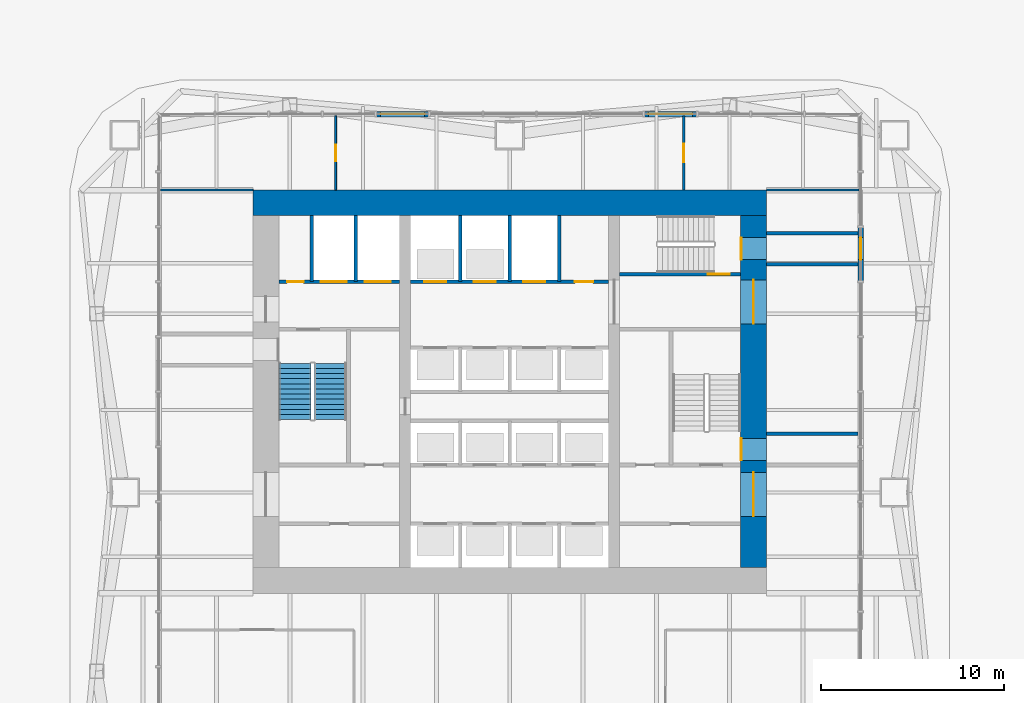
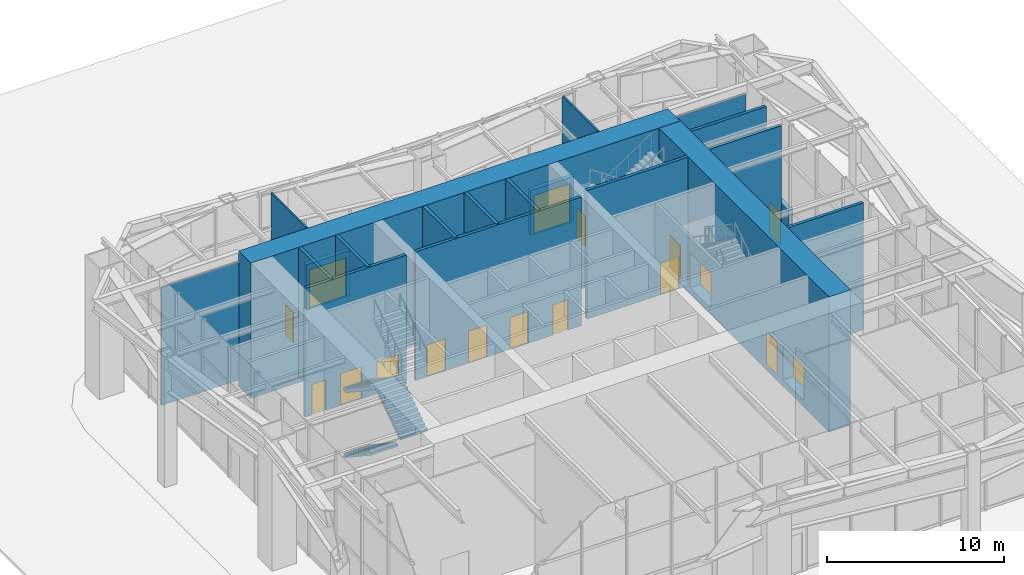
# One storey, part 9 of 13: 20 walls, 17 doors, 3 stair flights, 17 openings, 1 element without a shape of its own.
"""IFC4 building model written with IfcOpenShell, lengths in metres."""

from ifc_helpers import new_model, si_unit, direction, frame, frame_2d, origin, place, context, subcontext, project, spatial, polyline, rectangle, outline, extrude, material, layer, layer_set, type_object, element, fill, aggregate, save


model = new_model("IFC4")

# Units and contexts
model_context = context("Model", 3, precision=1e-05, world=origin(), true_north=direction((0.0, 1.0)))
body_context = subcontext(model_context, "Body", "Model", "MODEL_VIEW")
ifc_project = project(units=[si_unit("LENGTHUNIT", "METRE"), si_unit("AREAUNIT", "SQUARE_METRE"), si_unit("VOLUMEUNIT", "CUBIC_METRE"), si_unit("PLANEANGLEUNIT", "RADIAN"), si_unit("MASSUNIT", "GRAM", prefix="KILO")], contexts=[model_context])

# Site, building, storey
site_placement = place(None, origin())
site = spatial("IfcSite", under=ifc_project, at=site_placement, CompositionType="ELEMENT")
building_placement = place(site_placement, origin())
building = spatial("IfcBuilding", under=site, at=building_placement, Name="Verdant Reach Tower", CompositionType="ELEMENT")
storey_placement = place(building_placement, origin())
storey = spatial("IfcBuildingStorey", under=building, at=storey_placement, Name="G", CompositionType="ELEMENT", Elevation=0.0)

# Walls
ifc_material_1 = material(Name="Concrete C40/50", Category="concrete")
ifc_layer_1 = layer(ifc_material_1, 0.199951171875)
ifc_layer_set_1 = layer_set([ifc_layer_1], Name="CO-WALL-PASSAGE")
wall_type_1 = type_object("IfcWallType", Name="CO-WALL-PASSAGE", PredefinedType="PARTITIONING", material=ifc_layer_set_1)
wall_1_placement = place(storey_placement, frame((14.0, 25.699951171875, 0.0), z_axis=(0.0, 0.0, 1.0), x_axis=(1.0, 0.0, 0.0)))
element("IfcWall", 1, at=wall_1_placement, inside=storey, type_object=wall_type_1, Name="Exit passage wall, G", PredefinedType="PARTITIONING", context=body_context, shape_type="SweptSolid", body=[
    extrude(rectangle(XDim=5.0, YDim=0.199951171875, at=frame_2d((2.5, 0.0))), origin(), (0.0, 0.0, 1.0), 8.75),
])
wall_2_placement = place(storey_placement, frame((14.0, 34.949951171875, 0.0), z_axis=(0.0, 0.0, 1.0), x_axis=(1.0, 0.0, 0.0)))
element("IfcWall", 2, at=wall_2_placement, inside=storey, type_object=wall_type_1, Name="Exit passage wall, G", PredefinedType="PARTITIONING", context=body_context, shape_type="SweptSolid", body=[
    extrude(rectangle(XDim=5.0, YDim=0.199951171875, at=frame_2d((2.5, 0.0))), origin(), (0.0, 0.0, 1.0), 8.469970703125),
])
wall_3_placement = place(storey_placement, frame((14.0, 36.64990234375, 0.0), z_axis=(0.0, 0.0, 1.0), x_axis=(1.0, 0.0, 0.0)))
element("IfcWall", 3, at=wall_3_placement, inside=storey, type_object=wall_type_1, Name="Exit passage wall, G", PredefinedType="PARTITIONING", context=body_context, shape_type="SweptSolid", body=[
    extrude(rectangle(XDim=5.0, YDim=0.199951171875, at=frame_2d((2.5, 0.0))), origin(), (0.0, 0.0, 1.0), 8.75),
])

# Wall, openings, doors
ifc_layer_2 = layer(ifc_material_1, 0.199951171875)
ifc_layer_set_2 = layer_set([ifc_layer_2], Name="CO-WALL-SHAFT")
wall_type_2 = type_object("IfcWallType", Name="CO-WALL-SHAFT", PredefinedType="PARTITIONING", material=ifc_layer_set_2)
wall_4_placement = place(storey_placement, frame((-12.60009765625, 34.0, 0.0), z_axis=(0.0, 0.0, 1.0), x_axis=(1.0, 0.0, 0.0)))
wall_4 = element("IfcWall", 4, at=wall_4_placement, inside=storey, type_object=wall_type_2, Name="Lift shaft wall, G", PredefinedType="PARTITIONING", context=body_context, shape_type="SweptSolid", body=[
    extrude(rectangle(XDim=6.60009765625, YDim=0.199951171875, at=frame_2d((3.300048828125, 0.0))), origin(), (0.0, 0.0, 1.0), 8.8701171875),
])
opening_1_placement = place(wall_4_placement, frame((4.699951171875, 0.0, 0.0)))
opening_1 = element("IfcOpeningElement", 5, at=opening_1_placement, cuts=wall_4, Name="Opening LD-F1", PredefinedType="OPENING", context=body_context, shape_type="SweptSolid", body=[
    extrude(rectangle(XDim=1.39990234375, YDim=2.199951171875, at=frame_2d((0.699951171875, 1.10009765625))), frame((0.0, 0.10986328125, 0.0), z_axis=(0.0, -1.0, 0.0), x_axis=(1.0, 0.0, 0.0)), (0.0, 0.0, 1.0), 0.219970703125),
])
opening_2_placement = place(wall_4_placement, frame((2.300048828125, 0.0, 0.0)))
opening_2 = element("IfcOpeningElement", 6, at=opening_2_placement, cuts=wall_4, Name="Opening LD-F2", PredefinedType="OPENING", context=body_context, shape_type="SweptSolid", body=[
    extrude(rectangle(XDim=1.39990234375, YDim=2.199951171875, at=frame_2d((0.699951171875, 1.10009765625))), frame((0.0, 0.10986328125, 0.0), z_axis=(0.0, -1.0, 0.0), x_axis=(1.0, 0.0, 0.0)), (0.0, 0.0, 1.0), 0.219970703125),
])
opening_3_placement = place(wall_4_placement, frame((0.449951171875, 0.0, 0.0)))
opening_3 = element("IfcOpeningElement", 7, at=opening_3_placement, cuts=wall_4, Name="Opening RD", PredefinedType="OPENING", context=body_context, shape_type="SweptSolid", body=[
    extrude(rectangle(XDim=0.89990234375, YDim=2.10009765625, at=frame_2d((0.449951171875, 1.050048828125))), frame((0.0, 0.10986328125, 0.0), z_axis=(0.0, -1.0, 0.0), x_axis=(1.0, 0.0, 0.0)), (0.0, 0.0, 1.0), 0.219970703125),
])
ifc_material_2 = material(Name="Stainless steel", Category="steel")
door_type_1 = type_object("IfcDoorType", Name="CO-DOOR-LANDING-FF", OperationType="SLIDING_TO_LEFT", PredefinedType="DOOR", material=ifc_material_2)
door_1_placement = place(opening_1_placement, origin())
door_1 = element("IfcDoor", 8, at=door_1_placement, inside=storey, type_object=door_type_1, Name="Landing door F1, G", OperationType="SLIDING_TO_LEFT", OverallHeight=2.199951171875, OverallWidth=1.39990234375, PredefinedType="DOOR", context=body_context, shape_type="SweptSolid", body=[
    extrude(rectangle(XDim=1.39990234375, YDim=2.199951171875, at=frame_2d((0.699951171875, 1.10009765625))), frame((0.0, 0.02490234375, 0.0), z_axis=(0.0, -1.0, 0.0), x_axis=(1.0, 0.0, 0.0)), (0.0, 0.0, 1.0), 0.050048828125),
])
fill(opening_1, door_1)
door_2_placement = place(opening_2_placement, origin())
door_2 = element("IfcDoor", 9, at=door_2_placement, inside=storey, type_object=door_type_1, Name="Landing door F2, G", OperationType="SLIDING_TO_LEFT", OverallHeight=2.199951171875, OverallWidth=1.39990234375, PredefinedType="DOOR", context=body_context, shape_type="SweptSolid", body=[
    extrude(rectangle(XDim=1.39990234375, YDim=2.199951171875, at=frame_2d((0.699951171875, 1.10009765625))), frame((0.0, 0.02490234375, 0.0), z_axis=(0.0, -1.0, 0.0), x_axis=(1.0, 0.0, 0.0)), (0.0, 0.0, 1.0), 0.050048828125),
])
fill(opening_2, door_2)
ifc_material_3 = material(Name="Steel", Category="steel")
door_type_2 = type_object("IfcDoorType", Name="CO-DOOR-RISER", OperationType="NOTDEFINED", PredefinedType="DOOR", material=ifc_material_3)
door_3_placement = place(opening_3_placement, origin())
door_3 = element("IfcDoor", 10, at=door_3_placement, inside=storey, type_object=door_type_2, Name="Core room door, G", OperationType="SINGLE_SWING_RIGHT", OverallHeight=2.10009765625, OverallWidth=0.89990234375, PredefinedType="DOOR", context=body_context, shape_type="SweptSolid", body=[
    extrude(rectangle(XDim=0.89990234375, YDim=2.10009765625, at=frame_2d((0.449951171875, 1.050048828125))), frame((0.0, 0.02490234375, 0.0), z_axis=(0.0, -1.0, 0.0), x_axis=(1.0, 0.0, 0.0)), (0.0, 0.0, 1.0), 0.050048828125),
])
fill(opening_3, door_3)

wall_5_placement = place(storey_placement, frame((-5.39990234375, 34.0, 0.0), z_axis=(0.0, 0.0, 1.0), x_axis=(1.0, 0.0, 0.0)))
wall_5 = element("IfcWall", 11, at=wall_5_placement, inside=storey, type_object=wall_type_2, Name="Lift shaft wall, G", PredefinedType="PARTITIONING", context=body_context, shape_type="SweptSolid", body=[
    extrude(rectangle(XDim=10.7998046875, YDim=0.199951171875, at=frame_2d((5.39990234375, 0.0))), origin(), (0.0, 0.0, 1.0), 8.8701171875),
])
opening_4_placement = place(wall_5_placement, frame((0.75, 0.0, 0.0)))
opening_4 = element("IfcOpeningElement", 12, at=opening_4_placement, cuts=wall_5, Name="Opening LD-P1", PredefinedType="OPENING", context=body_context, shape_type="SweptSolid", body=[
    extrude(rectangle(XDim=1.199951171875, YDim=2.199951171875, at=frame_2d((0.60009765625, 1.10009765625))), frame((0.0, 0.10986328125, 0.0), z_axis=(0.0, -1.0, 0.0), x_axis=(1.0, 0.0, 0.0)), (0.0, 0.0, 1.0), 0.219970703125),
])
opening_5_placement = place(wall_5_placement, frame((3.449951171875, 0.0, 0.0)))
opening_5 = element("IfcOpeningElement", 13, at=opening_5_placement, cuts=wall_5, Name="Opening LD-P2", PredefinedType="OPENING", context=body_context, shape_type="SweptSolid", body=[
    extrude(rectangle(XDim=1.199951171875, YDim=2.199951171875, at=frame_2d((0.60009765625, 1.10009765625))), frame((0.0, 0.10986328125, 0.0), z_axis=(0.0, -1.0, 0.0), x_axis=(1.0, 0.0, 0.0)), (0.0, 0.0, 1.0), 0.219970703125),
])
opening_6_placement = place(wall_5_placement, frame((6.14990234375, 0.0, 0.0)))
opening_6 = element("IfcOpeningElement", 14, at=opening_6_placement, cuts=wall_5, Name="Opening LD-SL1", PredefinedType="OPENING", context=body_context, shape_type="SweptSolid", body=[
    extrude(rectangle(XDim=1.199951171875, YDim=2.199951171875, at=frame_2d((0.60009765625, 1.10009765625))), frame((0.0, 0.10986328125, 0.0), z_axis=(0.0, -1.0, 0.0), x_axis=(1.0, 0.0, 0.0)), (0.0, 0.0, 1.0), 0.219970703125),
])
opening_7_placement = place(wall_5_placement, frame((8.949951171875, 0.0, 0.0)))
opening_7 = element("IfcOpeningElement", 15, at=opening_7_placement, cuts=wall_5, Name="Opening CD", PredefinedType="OPENING", context=body_context, shape_type="SweptSolid", body=[
    extrude(rectangle(XDim=1.0, YDim=2.10009765625, at=frame_2d((0.5, 1.050048828125))), frame((0.0, 0.10986328125, 0.0), z_axis=(0.0, -1.0, 0.0), x_axis=(1.0, 0.0, 0.0)), (0.0, 0.0, 1.0), 0.219970703125),
])
door_type_3 = type_object("IfcDoorType", Name="CO-DOOR-LANDING", OperationType="SLIDING_TO_LEFT", PredefinedType="DOOR", material=ifc_material_2)
door_4_placement = place(opening_4_placement, origin())
door_4 = element("IfcDoor", 16, at=door_4_placement, inside=storey, type_object=door_type_3, Name="Landing door P1, G", OperationType="SLIDING_TO_LEFT", OverallHeight=2.199951171875, OverallWidth=1.199951171875, PredefinedType="DOOR", context=body_context, shape_type="SweptSolid", body=[
    extrude(rectangle(XDim=1.199951171875, YDim=2.199951171875, at=frame_2d((0.60009765625, 1.10009765625))), frame((0.0, 0.02490234375, 0.0), z_axis=(0.0, -1.0, 0.0), x_axis=(1.0, 0.0, 0.0)), (0.0, 0.0, 1.0), 0.050048828125),
])
fill(opening_4, door_4)
door_5_placement = place(opening_5_placement, origin())
door_5 = element("IfcDoor", 17, at=door_5_placement, inside=storey, type_object=door_type_3, Name="Landing door P2, G", OperationType="SLIDING_TO_LEFT", OverallHeight=2.199951171875, OverallWidth=1.199951171875, PredefinedType="DOOR", context=body_context, shape_type="SweptSolid", body=[
    extrude(rectangle(XDim=1.199951171875, YDim=2.199951171875, at=frame_2d((0.60009765625, 1.10009765625))), frame((0.0, 0.02490234375, 0.0), z_axis=(0.0, -1.0, 0.0), x_axis=(1.0, 0.0, 0.0)), (0.0, 0.0, 1.0), 0.050048828125),
])
fill(opening_5, door_5)
door_6_placement = place(opening_6_placement, origin())
door_6 = element("IfcDoor", 18, at=door_6_placement, inside=storey, type_object=door_type_3, Name="Landing door SL1, G", OperationType="SLIDING_TO_LEFT", OverallHeight=2.199951171875, OverallWidth=1.199951171875, PredefinedType="DOOR", context=body_context, shape_type="SweptSolid", body=[
    extrude(rectangle(XDim=1.199951171875, YDim=2.199951171875, at=frame_2d((0.60009765625, 1.10009765625))), frame((0.0, 0.02490234375, 0.0), z_axis=(0.0, -1.0, 0.0), x_axis=(1.0, 0.0, 0.0)), (0.0, 0.0, 1.0), 0.050048828125),
])
fill(opening_6, door_6)
ifc_material_4 = material(Name="Timber", Category="wood")
door_type_4 = type_object("IfcDoorType", Name="CO-DOOR-ROOM", OperationType="NOTDEFINED", PredefinedType="DOOR", material=ifc_material_4)
door_7_placement = place(opening_7_placement, origin())
door_7 = element("IfcDoor", 19, at=door_7_placement, inside=storey, type_object=door_type_4, Name="Core room door, G", OperationType="SINGLE_SWING_LEFT", OverallHeight=2.10009765625, OverallWidth=1.0, PredefinedType="DOOR", context=body_context, shape_type="SweptSolid", body=[
    extrude(rectangle(XDim=1.0, YDim=2.10009765625, at=frame_2d((0.5, 1.050048828125))), frame((0.0, 0.02490234375, 0.0), z_axis=(0.0, -1.0, 0.0), x_axis=(1.0, 0.0, 0.0)), (0.0, 0.0, 1.0), 0.050048828125),
])
fill(opening_7, door_7)

# Walls
for number, where, z_axis, x_axis, name in (
    (20, (-10.800048828125, 34.0, 0.0), (0.0, 0.0, 1.0), (0.0, 1.0, 0.0), "Lift shaft wall, G"),
    (21, (-8.39990234375, 34.0, 0.0), (0.0, 0.0, 1.0), (0.0, 1.0, 0.0), "Lift shaft wall, G"),
    (22, (-2.699951171875, 34.0, 0.0), (0.0, 0.0, 1.0), (0.0, 1.0, 0.0), "Lift shaft wall, G"),
    (23, (0.0, 34.0, 0.0), (0.0, 0.0, 1.0), (0.0, 1.0, 0.0), "Lift shaft wall, G"),
    (24, (2.699951171875, 34.0, 0.0), (0.0, 0.0, 1.0), (0.0, 1.0, 0.0), "Lift shaft wall, G"),
):
    element("IfcWall", number, at=place(storey_placement, frame(where, z_axis=z_axis, x_axis=x_axis)), inside=storey, type_object=wall_type_2, Name=name, PredefinedType="PARTITIONING", context=body_context, shape_type="SweptSolid", body=[
        extrude(rectangle(XDim=3.60009765625, YDim=0.199951171875, at=frame_2d((1.800048828125, 0.0))), origin(), (0.0, 0.0, 1.0), 8.8701171875),
    ])

# Wall, opening, door
ifc_layer_3 = layer(ifc_material_1, 0.199951171875)
ifc_layer_set_3 = layer_set([ifc_layer_3], Name="CO-WALL-STAIR")
wall_type_3 = type_object("IfcWallType", Name="CO-WALL-STAIR", PredefinedType="PARTITIONING", material=ifc_layer_set_3)
wall_6_placement = place(storey_placement, frame((6.0, 34.39990234375, 0.0), z_axis=(0.0, 0.0, 1.0), x_axis=(1.0, 0.0, 0.0)))
wall_6 = element("IfcWall", 25, at=wall_6_placement, inside=storey, type_object=wall_type_3, Name="Stair enclosure wall, G", PredefinedType="PARTITIONING", context=body_context, shape_type="SweptSolid", body=[
    extrude(rectangle(XDim=6.60009765625, YDim=0.199951171875, at=frame_2d((3.300048828125, 0.0))), origin(), (0.0, 0.0, 1.0), 8.8701171875),
])
opening_8_placement = place(wall_6_placement, frame((4.800048828125, 0.0, 0.0)))
opening_8 = element("IfcOpeningElement", 26, at=opening_8_placement, cuts=wall_6, Name="Opening SD", PredefinedType="OPENING", context=body_context, shape_type="SweptSolid", body=[
    extrude(rectangle(XDim=1.199951171875, YDim=2.199951171875, at=frame_2d((0.60009765625, 1.10009765625))), frame((0.0, 0.10986328125, 0.0), z_axis=(0.0, -1.0, 0.0), x_axis=(1.0, 0.0, 0.0)), (0.0, 0.0, 1.0), 0.219970703125),
])
door_type_5 = type_object("IfcDoorType", Name="CO-DOOR-STAIR", OperationType="NOTDEFINED", PredefinedType="DOOR", material=ifc_material_3)
door_8_placement = place(opening_8_placement, origin())
door_8 = element("IfcDoor", 27, at=door_8_placement, inside=storey, type_object=door_type_5, Name="Stair door, G", OperationType="SINGLE_SWING_RIGHT", OverallHeight=2.199951171875, OverallWidth=1.199951171875, PredefinedType="DOOR", context=body_context, shape_type="SweptSolid", body=[
    extrude(rectangle(XDim=1.199951171875, YDim=2.199951171875, at=frame_2d((0.60009765625, 1.10009765625))), frame((0.0, 0.02490234375, 0.0), z_axis=(0.0, -1.0, 0.0), x_axis=(1.0, 0.0, 0.0)), (0.0, 0.0, 1.0), 0.050048828125),
])
fill(opening_8, door_8)

ifc_material_5 = material(Name="Glazed aluminium entrance screen", Category="aluminium")
ifc_layer_4 = layer(ifc_material_5, 0.300048828125)
ifc_layer_set_4 = layer_set([ifc_layer_4], Name="EN-ENTRANCE WALL")
wall_type_4 = type_object("IfcWallType", Name="EN-ENTRANCE WALL", PredefinedType="SOLIDWALL", material=ifc_layer_set_4)
wall_7_placement = place(storey_placement, frame((10.1806640625, 43.14990234375, 0.0), z_axis=(0.0, 0.0, 1.0), x_axis=(-1.0, 0.0, 0.0)))
wall_7 = element("IfcWall", 28, at=wall_7_placement, inside=storey, type_object=wall_type_4, Name="Entrance screen, north face part 1 bay 4", PredefinedType="SOLIDWALL", context=body_context, shape_type="SweptSolid", body=[
    extrude(rectangle(XDim=2.822998046875, YDim=0.300048828125, at=frame_2d((1.41162109375, 0.0))), origin(), (0.0, 0.0, 1.0), 3.110107421875),
])
opening_9_placement = place(wall_7_placement, frame((0.21142578125, 0.0, 0.0)))
opening_9 = element("IfcOpeningElement", 29, at=opening_9_placement, cuts=wall_7, Name="Opening ED1", PredefinedType="OPENING", context=body_context, shape_type="SweptSolid", body=[
    extrude(rectangle(XDim=2.39990234375, YDim=2.699951171875, at=frame_2d((1.199951171875, 1.35009765625))), frame((0.0, 0.159912109375, 0.0), z_axis=(0.0, -1.0, 0.0), x_axis=(1.0, 0.0, 0.0)), (0.0, 0.0, 1.0), 0.320068359375),
])
ifc_material_6 = material(Name="Aluminium framed glazed door", Category="aluminium")
door_type_6 = type_object("IfcDoorType", Name="EN-DOOR ENTRANCE", OperationType="DOUBLE_DOOR_SINGLE_SWING", PredefinedType="DOOR", material=ifc_material_6)
door_9_placement = place(opening_9_placement, origin())
door_9 = element("IfcDoor", 30, at=door_9_placement, inside=storey, type_object=door_type_6, Name="Entrance door, north face part 1 bay 4", OperationType="DOUBLE_DOOR_SINGLE_SWING", OverallHeight=2.699951171875, OverallWidth=2.39990234375, PredefinedType="DOOR", context=body_context, shape_type="SweptSolid", body=[
    extrude(rectangle(XDim=2.39990234375, YDim=2.699951171875, at=frame_2d((1.199951171875, 1.35009765625))), frame((0.0, 0.02490234375, 0.0), z_axis=(0.0, -1.0, 0.0), x_axis=(1.0, 0.0, 0.0)), (0.0, 0.0, 1.0), 0.050048828125),
])
fill(opening_9, door_9)

wall_8_placement = place(storey_placement, frame((-4.4345703125, 43.14990234375, 0.0), z_axis=(0.0, 0.0, 1.0), x_axis=(-1.0, 0.0, 0.0)))
wall_8 = element("IfcWall", 31, at=wall_8_placement, inside=storey, type_object=wall_type_4, Name="Entrance screen, north face part 1 bay 9", PredefinedType="SOLIDWALL", context=body_context, shape_type="SweptSolid", body=[
    extrude(rectangle(XDim=2.8232421875, YDim=0.300048828125, at=frame_2d((1.41162109375, 0.0))), origin(), (0.0, 0.0, 1.0), 3.110107421875),
])
opening_10_placement = place(wall_8_placement, frame((0.21142578125, 0.0, 0.0)))
opening_10 = element("IfcOpeningElement", 32, at=opening_10_placement, cuts=wall_8, Name="Opening ED1", PredefinedType="OPENING", context=body_context, shape_type="SweptSolid", body=[
    extrude(rectangle(XDim=2.39990234375, YDim=2.699951171875, at=frame_2d((1.199951171875, 1.35009765625))), frame((0.0, 0.159912109375, 0.0), z_axis=(0.0, -1.0, 0.0), x_axis=(1.0, 0.0, 0.0)), (0.0, 0.0, 1.0), 0.320068359375),
])
door_10_placement = place(opening_10_placement, origin())
door_10 = element("IfcDoor", 33, at=door_10_placement, inside=storey, type_object=door_type_6, Name="Entrance door, north face part 1 bay 9", OperationType="DOUBLE_DOOR_SINGLE_SWING", OverallHeight=2.699951171875, OverallWidth=2.39990234375, PredefinedType="DOOR", context=body_context, shape_type="SweptSolid", body=[
    extrude(rectangle(XDim=2.39990234375, YDim=2.699951171875, at=frame_2d((1.199951171875, 1.35009765625))), frame((0.0, 0.02490234375, 0.0), z_axis=(0.0, -1.0, 0.0), x_axis=(1.0, 0.0, 0.0)), (0.0, 0.0, 1.0), 0.050048828125),
])
fill(opening_10, door_10)

wall_9_placement = place(storey_placement, frame((19.14990234375, 34.050048828125, 0.0), z_axis=(0.0, 0.0, 1.0), x_axis=(0.0, 1.0, 0.0)))
wall_9 = element("IfcWall", 34, at=wall_9_placement, inside=storey, type_object=wall_type_4, Name="Exit screen ST-3, east face part 1 bays 10 to 10", PredefinedType="SOLIDWALL", context=body_context, shape_type="SweptSolid", body=[
    extrude(rectangle(XDim=2.89990234375, YDim=0.300048828125, at=frame_2d((1.449951171875, 0.0))), origin(), (0.0, 0.0, 1.0), 3.110107421875),
])
opening_11_placement = place(wall_9_placement, frame((1.14990234375, 0.0, 0.0)))
opening_11 = element("IfcOpeningElement", 35, at=opening_11_placement, cuts=wall_9, Name="Opening ED2", PredefinedType="OPENING", context=body_context, shape_type="SweptSolid", body=[
    extrude(rectangle(XDim=1.199951171875, YDim=2.199951171875, at=frame_2d((0.60009765625, 1.10009765625))), frame((0.0, 0.159912109375, 0.0), z_axis=(0.0, -1.0, 0.0), x_axis=(1.0, 0.0, 0.0)), (0.0, 0.0, 1.0), 0.320068359375),
])
door_type_7 = type_object("IfcDoorType", Name="EN-DOOR EXIT", OperationType="NOTDEFINED", PredefinedType="DOOR", material=ifc_material_6)
door_11_placement = place(opening_11_placement, origin())
door_11 = element("IfcDoor", 36, at=door_11_placement, inside=storey, type_object=door_type_7, Name="Final exit door ST-3", OperationType="SINGLE_SWING_LEFT", OverallHeight=2.199951171875, OverallWidth=1.199951171875, PredefinedType="DOOR", context=body_context, shape_type="SweptSolid", body=[
    extrude(rectangle(XDim=1.199951171875, YDim=2.199951171875, at=frame_2d((0.60009765625, 1.10009765625))), frame((0.0, 0.02490234375, 0.0), z_axis=(0.0, -1.0, 0.0), x_axis=(1.0, 0.0, 0.0)), (0.0, 0.0, 1.0), 0.050048828125),
])
fill(opening_11, door_11)

# Wall
ifc_material_7 = material(Name="Concrete C70/85", Category="concrete")
ifc_layer_5 = layer(ifc_material_7, 1.39990234375)
ifc_layer_set_5 = layer_set([ifc_layer_5], Name="ST-CORE-WALL-1400")
wall_type_5 = type_object("IfcWallType", Name="ST-CORE-WALL-1400", PredefinedType="SHEAR", material=ifc_layer_set_5)
wall_10_placement = place(storey_placement, frame((-14.0, 38.300048828125, -0.449951171875), z_axis=(0.0, 0.0, 1.0), x_axis=(1.0, 0.0, 0.0)))
element("IfcWall", 37, at=wall_10_placement, inside=storey, type_object=wall_type_5, Name="Core wall N, G", PredefinedType="SHEAR", context=body_context, shape_type="SweptSolid", body=[
    extrude(rectangle(XDim=28.0, YDim=1.39990234375, at=frame_2d((14.0, 0.0))), origin(), (0.0, 0.0, 1.0), 9.320068359375),
])

# Wall, openings, doors
wall_11_placement = place(storey_placement, frame((13.300048828125, 18.39990234375, -0.449951171875), z_axis=(0.0, 0.0, 1.0), x_axis=(0.0, 1.0, 0.0)))
wall_11 = element("IfcWall", 38, at=wall_11_placement, inside=storey, type_object=wall_type_5, Name="Core wall E, G", PredefinedType="SHEAR", context=body_context, shape_type="SweptSolid", body=[
    extrude(rectangle(XDim=19.2001953125, YDim=1.39990234375, at=frame_2d((9.60009765625, 0.0))), origin(), (0.0, 0.0, 1.0), 9.320068359375),
])
opening_12_placement = place(wall_11_placement, frame((2.800048828125, 0.0, 0.449951171875)))
opening_12 = element("IfcOpeningElement", 39, at=opening_12_placement, cuts=wall_11, Name="Opening LB", PredefinedType="OPENING", context=body_context, shape_type="SweptSolid", body=[
    extrude(rectangle(XDim=2.39990234375, YDim=2.39990234375, at=frame_2d((1.199951171875, 1.199951171875))), frame((0.0, 0.7099609375, 0.0), z_axis=(0.0, -1.0, 0.0), x_axis=(1.0, 0.0, 0.0)), (0.0, 0.0, 1.0), 1.419921875),
])
opening_13_placement = place(wall_11_placement, frame((13.300048828125, 0.0, 0.449951171875)))
opening_13 = element("IfcOpeningElement", 40, at=opening_13_placement, cuts=wall_11, Name="Opening LB", PredefinedType="OPENING", context=body_context, shape_type="SweptSolid", body=[
    extrude(rectangle(XDim=2.39990234375, YDim=2.39990234375, at=frame_2d((1.199951171875, 1.199951171875))), frame((0.0, 0.7099609375, 0.0), z_axis=(0.0, -1.0, 0.0), x_axis=(1.0, 0.0, 0.0)), (0.0, 0.0, 1.0), 1.419921875),
])
opening_14_placement = place(wall_11_placement, frame((5.85009765625, 0.0, 0.449951171875)))
opening_14 = element("IfcOpeningElement", 41, at=opening_14_placement, cuts=wall_11, Name="Opening SD", PredefinedType="OPENING", context=body_context, shape_type="SweptSolid", body=[
    extrude(rectangle(XDim=1.199951171875, YDim=2.199951171875, at=frame_2d((0.60009765625, 1.10009765625))), frame((0.0, 0.7099609375, 0.0), z_axis=(0.0, -1.0, 0.0), x_axis=(1.0, 0.0, 0.0)), (0.0, 0.0, 1.0), 1.419921875),
])
opening_15_placement = place(wall_11_placement, frame((16.800048828125, 0.0, 0.449951171875)))
opening_15 = element("IfcOpeningElement", 42, at=opening_15_placement, cuts=wall_11, Name="Opening SD", PredefinedType="OPENING", context=body_context, shape_type="SweptSolid", body=[
    extrude(rectangle(XDim=1.199951171875, YDim=2.199951171875, at=frame_2d((0.60009765625, 1.10009765625))), frame((0.0, 0.7099609375, 0.0), z_axis=(0.0, -1.0, 0.0), x_axis=(1.0, 0.0, 0.0)), (0.0, 0.0, 1.0), 1.419921875),
])
ifc_material_8 = material(Name="Glass and steel", Category="steel")
door_type_8 = type_object("IfcDoorType", Name="CO-DOOR-LOBBY", OperationType="DOUBLE_DOOR_SINGLE_SWING", PredefinedType="DOOR", material=ifc_material_8)
door_12_placement = place(opening_12_placement, origin())
door_12 = element("IfcDoor", 43, at=door_12_placement, inside=storey, type_object=door_type_8, Name="Core entrance door, G", OperationType="DOUBLE_DOOR_SINGLE_SWING", OverallHeight=2.39990234375, OverallWidth=2.39990234375, PredefinedType="DOOR", context=body_context, shape_type="SweptSolid", body=[
    extrude(rectangle(XDim=2.39990234375, YDim=2.39990234375, at=frame_2d((1.199951171875, 1.199951171875))), frame((0.0, 0.02490234375, 0.0), z_axis=(0.0, -1.0, 0.0), x_axis=(1.0, 0.0, 0.0)), (0.0, 0.0, 1.0), 0.050048828125),
])
fill(opening_12, door_12)
door_13_placement = place(opening_13_placement, origin())
door_13 = element("IfcDoor", 44, at=door_13_placement, inside=storey, type_object=door_type_8, Name="Core entrance door, G", OperationType="DOUBLE_DOOR_SINGLE_SWING", OverallHeight=2.39990234375, OverallWidth=2.39990234375, PredefinedType="DOOR", context=body_context, shape_type="SweptSolid", body=[
    extrude(rectangle(XDim=2.39990234375, YDim=2.39990234375, at=frame_2d((1.199951171875, 1.199951171875))), frame((0.0, 0.02490234375, 0.0), z_axis=(0.0, -1.0, 0.0), x_axis=(1.0, 0.0, 0.0)), (0.0, 0.0, 1.0), 0.050048828125),
])
fill(opening_13, door_13)
door_14_placement = place(opening_14_placement, origin())
door_14 = element("IfcDoor", 45, at=door_14_placement, inside=storey, type_object=door_type_5, Name="Core entrance door, G", OperationType="SINGLE_SWING_LEFT", OverallHeight=2.199951171875, OverallWidth=1.199951171875, PredefinedType="DOOR", context=body_context, shape_type="SweptSolid", body=[
    extrude(rectangle(XDim=1.199951171875, YDim=2.199951171875, at=frame_2d((0.60009765625, 1.10009765625))), frame((0.0, 0.7001953125, 0.0), z_axis=(0.0, -1.0, 0.0), x_axis=(1.0, 0.0, 0.0)), (0.0, 0.0, 1.0), 0.050048828125),
])
fill(opening_14, door_14)
door_15_placement = place(opening_15_placement, origin())
door_15 = element("IfcDoor", 46, at=door_15_placement, inside=storey, type_object=door_type_5, Name="Core entrance door, G", OperationType="SINGLE_SWING_RIGHT", OverallHeight=2.199951171875, OverallWidth=1.199951171875, PredefinedType="DOOR", context=body_context, shape_type="SweptSolid", body=[
    extrude(rectangle(XDim=1.199951171875, YDim=2.199951171875, at=frame_2d((0.60009765625, 1.10009765625))), frame((0.0, 0.7001953125, 0.0), z_axis=(0.0, -1.0, 0.0), x_axis=(1.0, 0.0, 0.0)), (0.0, 0.0, 1.0), 0.050048828125),
])
fill(opening_15, door_15)

# Wall
ifc_material_9 = material(Name="Gypsum board on steel studs", Category="steel")
ifc_layer_6 = layer(ifc_material_9, 0.10009765625)
ifc_layer_set_6 = layer_set([ifc_layer_6], Name="SV-W1 Partition 100")
wall_type_6 = type_object("IfcWallType", Name="SV-W1 Partition 100", PredefinedType="PARTITIONING", material=ifc_layer_set_6)
wall_12_placement = place(storey_placement, frame((-14.0, 39.0, 0.0), z_axis=(0.0, 0.0, 1.0), x_axis=(-1.0, 0.0, 0.0)))
element("IfcWall", 47, at=wall_12_placement, inside=storey, type_object=wall_type_6, Name="Partition G.05", PredefinedType="PARTITIONING", context=body_context, shape_type="SweptSolid", body=[
    extrude(rectangle(XDim=5.050048828125, YDim=0.10009765625, at=frame_2d((2.52490234375, 0.0))), origin(), (0.0, 0.0, 1.0), 8.139892578125),
])

# Wall, opening, door
wall_13_placement = place(storey_placement, frame((-9.5, 43.050048828125, 0.0), z_axis=(0.0, 0.0, 1.0), x_axis=(0.0, -1.0, 0.0)))
wall_13 = element("IfcWall", 48, at=wall_13_placement, inside=storey, type_object=wall_type_6, Name="Partition G.06", PredefinedType="PARTITIONING", context=body_context, shape_type="SweptSolid", body=[
    extrude(rectangle(XDim=4.050048828125, YDim=0.10009765625, at=frame_2d((2.02490234375, 0.0))), origin(), (0.0, 0.0, 1.0), 8.8701171875),
])
opening_16_placement = place(wall_13_placement, frame((1.574951171875, 0.0, 0.0)))
opening_16 = element("IfcOpeningElement", 49, at=opening_16_placement, cuts=wall_13, Name="Opening SD1", PredefinedType="OPENING", context=body_context, shape_type="SweptSolid", body=[
    extrude(rectangle(XDim=0.89990234375, YDim=2.10009765625, at=frame_2d((0.449951171875, 1.050048828125))), frame((0.0, 0.06005859375, 0.0), z_axis=(0.0, -1.0, 0.0), x_axis=(1.0, 0.0, 0.0)), (0.0, 0.0, 1.0), 0.1201171875),
])
ifc_material_10 = material(Name="Painted timber door leaf", Category="wood")
door_type_9 = type_object("IfcDoorType", Name="SV-D1 Door 900x2100", OperationType="NOTDEFINED", PredefinedType="DOOR", material=ifc_material_10)
door_16_placement = place(opening_16_placement, origin())
door_16 = element("IfcDoor", 50, at=door_16_placement, inside=storey, type_object=door_type_9, Name="Door G-003", OperationType="SINGLE_SWING_LEFT", OverallHeight=2.10009765625, OverallWidth=0.89990234375, PredefinedType="DOOR", context=body_context, shape_type="SweptSolid", body=[
    extrude(rectangle(XDim=0.89990234375, YDim=2.10009765625, at=frame_2d((0.449951171875, 1.050048828125))), frame((0.0, 0.02490234375, 0.0), z_axis=(0.0, -1.0, 0.0), x_axis=(1.0, 0.0, 0.0)), (0.0, 0.0, 1.0), 0.050048828125),
])
fill(opening_16, door_16)

# Wall
ifc_material_11 = material(Name="Gypsum board on steel studs, fire rated", Category="steel")
ifc_layer_7 = layer(ifc_material_11, 0.125)
ifc_layer_set_7 = layer_set([ifc_layer_7], Name="SV-W2 Plant wall 125 EI 60")
wall_type_7 = type_object("IfcWallType", Name="SV-W2 Plant wall 125 EI 60", PredefinedType="PARTITIONING", material=ifc_layer_set_7)
wall_14_placement = place(storey_placement, frame((19.050048828125, 39.0, 0.0), z_axis=(0.0, 0.0, 1.0), x_axis=(-1.0, 0.0, 0.0)))
element("IfcWall", 51, at=wall_14_placement, inside=storey, type_object=wall_type_7, Name="Partition G.07", PredefinedType="PARTITIONING", context=body_context, shape_type="SweptSolid", body=[
    extrude(rectangle(XDim=5.050048828125, YDim=0.125, at=frame_2d((2.52490234375, 0.0))), origin(), (0.0, 0.0, 1.0), 8.139892578125),
])

# Wall, opening, door
wall_15_placement = place(storey_placement, frame((9.5, 39.0, 0.0), z_axis=(0.0, 0.0, 1.0), x_axis=(0.0, 1.0, 0.0)))
wall_15 = element("IfcWall", 52, at=wall_15_placement, inside=storey, type_object=wall_type_7, Name="Partition G.08", PredefinedType="PARTITIONING", context=body_context, shape_type="SweptSolid", body=[
    extrude(rectangle(XDim=4.050048828125, YDim=0.125, at=frame_2d((2.02490234375, 0.0))), origin(), (0.0, 0.0, 1.0), 8.8701171875),
])
opening_17_placement = place(wall_15_placement, frame((1.52490234375, 0.0, 0.0)))
opening_17 = element("IfcOpeningElement", 53, at=opening_17_placement, cuts=wall_15, Name="Opening SD2", PredefinedType="OPENING", context=body_context, shape_type="SweptSolid", body=[
    extrude(rectangle(XDim=1.0, YDim=2.10009765625, at=frame_2d((0.5, 1.050048828125))), frame((0.0, 0.072509765625, 0.0), z_axis=(0.0, -1.0, 0.0), x_axis=(1.0, 0.0, 0.0)), (0.0, 0.0, 1.0), 0.14501953125),
])
ifc_material_12 = material(Name="Steel door leaf, fire rated", Category="steel")
door_type_10 = type_object("IfcDoorType", Name="SV-D2 Door 1000x2100 FD60", OperationType="NOTDEFINED", PredefinedType="DOOR", material=ifc_material_12)
door_17_placement = place(opening_17_placement, origin())
door_17 = element("IfcDoor", 54, at=door_17_placement, inside=storey, type_object=door_type_10, Name="Door G-004", OperationType="SINGLE_SWING_RIGHT", OverallHeight=2.10009765625, OverallWidth=1.0, PredefinedType="DOOR", context=body_context, shape_type="SweptSolid", body=[
    extrude(rectangle(XDim=1.0, YDim=2.10009765625, at=frame_2d((0.5, 1.050048828125))), frame((0.0, 0.02490234375, 0.0), z_axis=(0.0, -1.0, 0.0), x_axis=(1.0, 0.0, 0.0)), (0.0, 0.0, 1.0), 0.050048828125),
])
fill(opening_17, door_17)

# Stair, stair flights
stair_type = type_object("IfcStairType", Name="CO-STAIR", PredefinedType="HALF_TURN_STAIR", material=ifc_material_1)
stair_placement = place(storey_placement, origin())
stair = element("IfcStair", 55, at=stair_placement, inside=storey, type_object=stair_type, Name="G Exit stair 1", PredefinedType="HALF_TURN_STAIR")
stair_flight_type = type_object("IfcStairFlightType", Name="CO-STAIR-FLIGHT", PredefinedType="STRAIGHT", material=ifc_material_1)
stair_flight_1_placement = place(storey_placement, frame((-11.72509765625, 29.550048828125, 0.0), z_axis=(0.0, 0.0, 1.0), x_axis=(0.0, -1.0, 0.0)))
stair_flight_1 = element("IfcStairFlight", 56, at=stair_flight_1_placement, type_object=stair_flight_type, Name="ST-1 flight 1", NumberOfRisers=12, NumberOfTreads=11, PredefinedType="STRAIGHT", RiserHeight=0.1875, TreadLength=0.28, context=body_context, shape_type="SweptSolid", body=[
    extrude(outline(polyline([(0.0, 0.0), (0.0, 0.1875), (0.280029296875, 0.1875), (0.280029296875, 0.375), (0.56005859375, 0.375), (0.56005859375, 0.5625), (0.840087890625, 0.5625), (0.840087890625, 0.75), (1.1201171875, 0.75), (1.1201171875, 0.9375), (1.39990234375, 0.9375), (1.39990234375, 1.125), (1.679931640625, 1.125), (1.679931640625, 1.3125), (1.9599609375, 1.3125), (1.9599609375, 1.5), (2.239990234375, 1.5), (2.239990234375, 1.6875), (2.52001953125, 1.6875), (2.52001953125, 1.875), (2.800048828125, 1.875), (2.800048828125, 2.0625), (3.080078125, 2.0625), (3.080078125, 2.25), (3.080078125, 1.882080078125), (0.26953125, 0.0), (0.0, 0.0)])), frame((0.0, 0.875, 0.0), z_axis=(0.0, -1.0, 0.0), x_axis=(1.0, 0.0, 0.0)), (0.0, 0.0, 1.0), 1.75),
])
stair_flight_2_placement = place(storey_placement, frame((-9.77490234375, 26.469970703125, 2.25), z_axis=(0.0, 0.0, 1.0), x_axis=(0.0, 1.0, 0.0)))
stair_flight_2 = element("IfcStairFlight", 57, at=stair_flight_2_placement, type_object=stair_flight_type, Name="ST-1 flight 2", NumberOfRisers=12, NumberOfTreads=11, PredefinedType="STRAIGHT", RiserHeight=0.1875, TreadLength=0.28, context=body_context, shape_type="SweptSolid", body=[
    extrude(outline(polyline([(0.0, 0.0), (0.0, 0.1875), (0.280029296875, 0.1875), (0.280029296875, 0.375), (0.56005859375, 0.375), (0.56005859375, 0.5625), (0.840087890625, 0.5625), (0.840087890625, 0.75), (1.1201171875, 0.75), (1.1201171875, 0.9375), (1.39990234375, 0.9375), (1.39990234375, 1.125), (1.679931640625, 1.125), (1.679931640625, 1.3125), (1.9599609375, 1.3125), (1.9599609375, 1.5), (2.239990234375, 1.5), (2.239990234375, 1.6875), (2.52001953125, 1.6875), (2.52001953125, 1.875), (2.800048828125, 1.875), (2.800048828125, 2.0625), (3.080078125, 2.0625), (3.080078125, 2.25), (3.080078125, 1.882080078125), (0.26953125, 0.0), (0.0, 0.0)])), frame((0.0, 0.875, 0.0), z_axis=(0.0, -1.0, 0.0), x_axis=(1.0, 0.0, 0.0)), (0.0, 0.0, 1.0), 1.75),
])
stair_flight_3_placement = place(storey_placement, frame((-11.72509765625, 29.550048828125, 4.5), z_axis=(0.0, 0.0, 1.0), x_axis=(0.0, -1.0, 0.0)))
stair_flight_3 = element("IfcStairFlight", 58, at=stair_flight_3_placement, type_object=stair_flight_type, Name="ST-1 flight 3", NumberOfRisers=12, NumberOfTreads=11, PredefinedType="STRAIGHT", RiserHeight=0.1875, TreadLength=0.28, context=body_context, shape_type="SweptSolid", body=[
    extrude(outline(polyline([(0.0, 0.0), (0.0, 0.1875), (0.280029296875, 0.1875), (0.280029296875, 0.375), (0.56005859375, 0.375), (0.56005859375, 0.5625), (0.840087890625, 0.5625), (0.840087890625, 0.75), (1.1201171875, 0.75), (1.1201171875, 0.9375), (1.39990234375, 0.9375), (1.39990234375, 1.125), (1.679931640625, 1.125), (1.679931640625, 1.3125), (1.9599609375, 1.3125), (1.9599609375, 1.5), (2.239990234375, 1.5), (2.239990234375, 1.6875), (2.52001953125, 1.6875), (2.52001953125, 1.875), (2.800048828125, 1.875), (2.800048828125, 2.0625), (3.080078125, 2.0625), (3.080078125, 2.25), (3.080078125, 1.882080078125), (0.26953125, 0.0), (0.0, 0.0)])), frame((0.0, 0.875, 0.0), z_axis=(0.0, -1.0, 0.0), x_axis=(1.0, 0.0, 0.0)), (0.0, 0.0, 1.0), 1.75),
])
aggregate(stair, [stair_flight_1, stair_flight_2, stair_flight_3])

save(model, "model.ifc")
